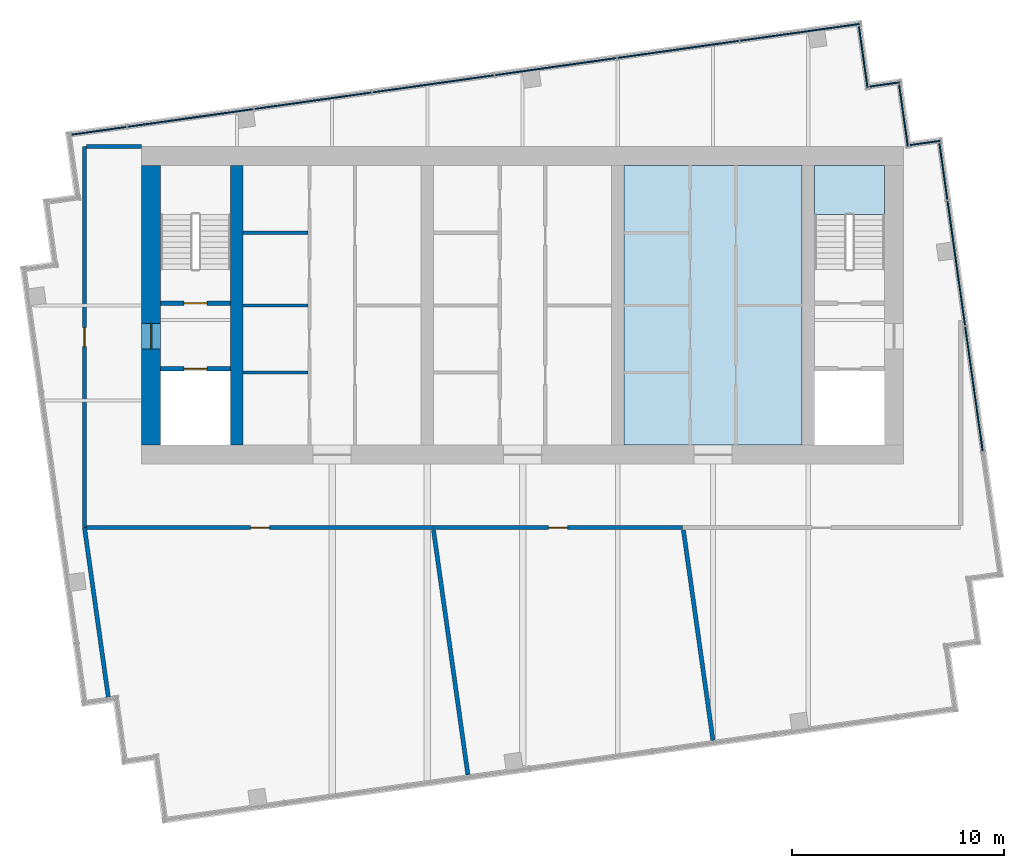
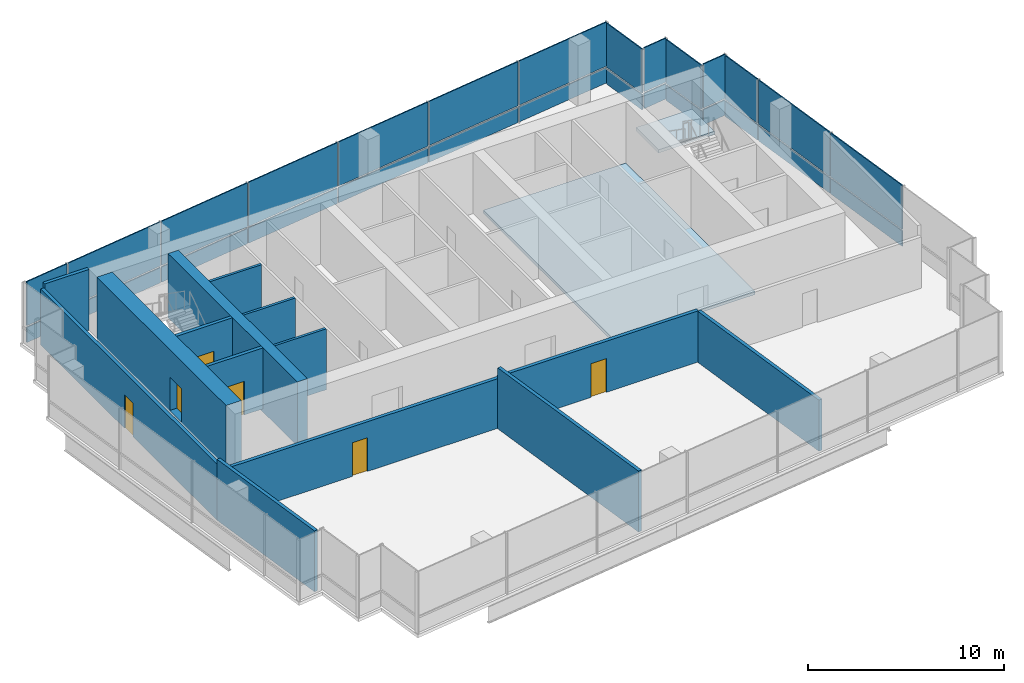
# One storey, part 7 of 10: 28 plates, 14 walls, 6 doors, 2 slabs, 6 openings, 7 elements without a shape of their own.
"""IFC4 building model written with IfcOpenShell, lengths in metres."""

import ifcopenshell
import ifcopenshell.guid

model = None  # the IFC model being written
_history = None  # IfcOwnerHistory: only IFC2X3 demands one
_inside = {}  # id of a spatial element -> (the spatial element, [elements in it])
_under = {}  # id of a project, library or spatial element -> (it, [spatial elements below it])
_declared = {}  # id of a project -> (the project, [libraries it declares])
_typed = {}  # id of a type object -> (the type object, [elements of that type])
_made_of = {}  # id of a material, layer set ... -> (it, [elements and type objects made of it])


def new_model(schema):
    """Start an empty IFC model of exactly this schema.

    Asked for "IFC4X3", IfcOpenShell would pick the latest addendum, in which some entities
    have other attributes; the version numbers below select the first issue.
    IFC2X3 requires an IfcOwnerHistory on every rooted entity: one is made here for all.
    """
    global model, _history
    if schema == "IFC4X3":
        model = ifcopenshell.file(schema_version=(4, 3, 0, 0))
    else:
        model = ifcopenshell.file(schema=schema)
    _inside.clear()
    _under.clear()
    _declared.clear()
    _typed.clear()
    _made_of.clear()
    _history = None
    if model.schema == "IFC2X3":
        org = make("IfcOrganization", Name="unknown")
        user = make(
            "IfcPersonAndOrganization",
            ThePerson=make("IfcPerson", FamilyName="unknown"),
            TheOrganization=org,
        )
        app = make(
            "IfcApplication",
            ApplicationDeveloper=org,
            Version="unknown",
            ApplicationFullName="unknown",
            ApplicationIdentifier="unknown",
        )
        _history = make(
            "IfcOwnerHistory",
            OwningUser=user,
            OwningApplication=app,
            ChangeAction="ADDED",
            CreationDate=0,
        )
    return model


def make(cls, **values):
    """One entity of the class cls with the attributes given. An attribute that is None is left unset."""
    return model.create_entity(
        cls, **{name: value for name, value in values.items() if value is not None}
    )


def rooted(cls, **values):
    """An entity with a GlobalId (a new one), such as an element, a storey or a relation."""
    return make(cls, GlobalId=ifcopenshell.guid.new(), OwnerHistory=_history, **values)


def si_unit(unit_type, name, prefix=None):
    """IfcSIUnit, for example si_unit("LENGTHUNIT", "METRE", prefix="MILLI")."""
    return make("IfcSIUnit", UnitType=unit_type, Prefix=prefix, Name=name)


def assignment(units):
    """IfcUnitAssignment: the units of a project."""
    return None if units is None else make("IfcUnitAssignment", Units=units)


def point(xyz):
    """IfcCartesianPoint."""
    return None if xyz is None else make("IfcCartesianPoint", Coordinates=xyz)


def direction(xyz):
    """IfcDirection."""
    return None if xyz is None else make("IfcDirection", DirectionRatios=xyz)


def frame(location, z_axis=None, x_axis=None):
    """IfcAxis2Placement3D, a coordinate frame: its origin and axes. An axis left out is left unset."""
    return make(
        "IfcAxis2Placement3D",
        Location=point(location),
        Axis=direction(z_axis),
        RefDirection=direction(x_axis),
    )


def frame_2d(location, x_axis=None):
    """IfcAxis2Placement2D, a coordinate frame in the plane: its origin and x axis."""
    return make(
        "IfcAxis2Placement2D", Location=point(location), RefDirection=direction(x_axis)
    )


def origin():
    """The frame at (0, 0, 0) with its axes left unset."""
    return frame((0.0, 0.0, 0.0))


def origin_2d():
    """The frame at (0, 0) in the plane with its x axis left unset."""
    return frame_2d((0.0, 0.0))


def place(relative_to, where):
    """IfcLocalPlacement: puts the frame where relative to a parent placement (None: the world)."""
    return make(
        "IfcLocalPlacement", PlacementRelTo=relative_to, RelativePlacement=where
    )


def context(
    kind, dimensions, precision=None, world=None, true_north=None, identifier=None
):
    """IfcGeometricRepresentationContext, for example the 3D "Model" context."""
    return make(
        "IfcGeometricRepresentationContext",
        ContextIdentifier=identifier,
        ContextType=kind,
        CoordinateSpaceDimension=dimensions,
        Precision=precision,
        WorldCoordinateSystem=world,
        TrueNorth=true_north,
    )


def subcontext(parent, identifier, kind, view, scale=None):
    """IfcGeometricRepresentationSubContext, for example "Body" below "Model"."""
    return make(
        "IfcGeometricRepresentationSubContext",
        ContextIdentifier=identifier,
        ContextType=kind,
        ParentContext=parent,
        TargetScale=scale,
        TargetView=view,
    )


def project(units=None, contexts=None):
    """IfcProject with its units and contexts."""
    return rooted(
        "IfcProject",
        Name="project",
        RepresentationContexts=contexts,
        UnitsInContext=assignment(units),
    )


def spatial(cls, under=None, at=None, **own):
    """A site, building, storey or space (cls), placed at a placement, below another one or the project."""
    s = rooted(cls, ObjectPlacement=at, **own)
    if under is not None:
        _under.setdefault(under.id(), (under, []))[1].append(s)
    return s


def polyline(points):
    """IfcPolyline through the points."""
    return make("IfcPolyline", Points=[point(p) for p in points])


def profile(cls, at=None, kind="AREA", **sizes):
    """A parametric profile (cls). Its sizes go by their IFC names, for example OverallWidth=200.0."""
    return make(cls, ProfileType=kind, Position=at, **sizes)


def rectangle(**sizes):
    """IfcRectangleProfileDef."""
    return profile("IfcRectangleProfileDef", **sizes)


def outline(outer, holes=None, kind="AREA"):
    """IfcArbitraryClosedProfileDef: a profile drawn as a closed curve; with holes, ...WithVoids."""
    if holes is None:
        return make("IfcArbitraryClosedProfileDef", ProfileType=kind, OuterCurve=outer)
    return make(
        "IfcArbitraryProfileDefWithVoids",
        ProfileType=kind,
        OuterCurve=outer,
        InnerCurves=holes,
    )


def extrude(swept, where, along, depth):
    """IfcExtrudedAreaSolid: the profile swept, set in the frame where, extruded along a direction by depth."""
    return make(
        "IfcExtrudedAreaSolid",
        SweptArea=swept,
        Position=where,
        ExtrudedDirection=direction(along),
        Depth=depth,
    )


def shape(context_of_items, identifier, shape_type, items):
    """IfcShapeRepresentation: the items that make up one representation, for example the "Body"."""
    return make(
        "IfcShapeRepresentation",
        ContextOfItems=context_of_items,
        RepresentationIdentifier=identifier,
        RepresentationType=shape_type,
        Items=items,
    )


def material(Name=None, Category=None):
    """IfcMaterial."""
    return make("IfcMaterial", Name=Name, Category=Category)


def layer(
    of_material, thickness, ventilated=None, Name=None, Category=None, Priority=None
):
    """IfcMaterialLayer: one layer of a wall or slab, of a material (None: an air gap)."""
    return make(
        "IfcMaterialLayer",
        Material=of_material,
        LayerThickness=thickness,
        IsVentilated=ventilated,
        Name=Name,
        Category=Category,
        Priority=Priority,
    )


def layer_set(layers, Name=None):
    """IfcMaterialLayerSet."""
    return make("IfcMaterialLayerSet", MaterialLayers=layers, LayerSetName=Name)


def made_of(thing, what):
    """Note that an element or type object is made of a material, layer set ...; save() writes the relation."""
    if what is not None:
        _made_of.setdefault(what.id(), (what, []))[1].append(thing)
    return thing


def type_object(cls, material=None, **own):
    """A type object (cls), such as IfcWallType, which elements share."""
    return made_of(rooted(cls, **own), material)


def element(
    cls,
    number,
    at=None,
    inside=None,
    cuts=None,
    type_object=None,
    material=None,
    context=None,
    identifier="Body",
    shape_type=None,
    held_by="IfcProductDefinitionShape",
    body=None,
    shapes=None,
    **own,
):
    """One element of the class cls, such as IfcWall. Its Tag is "e" and its number.

    at: its placement. inside: the storey or other place that contains it. cuts: it is an
    opening in that element (IfcRelVoidsElement). A single representation is given by context,
    identifier, shape_type and body (its items); several are given by shapes. held_by: the class
    of the entity that holds the representations. save() writes the other relations.
    """
    e = rooted(cls, Tag="e%d" % number, ObjectPlacement=at, **own)
    if body is not None:
        shapes = [shape(context, identifier, shape_type, body)]
    if shapes is not None:
        e.Representation = make(held_by, Representations=shapes)
    if inside is not None:
        _inside.setdefault(inside.id(), (inside, []))[1].append(e)
    if cuts is not None:
        rooted(
            "IfcRelVoidsElement", RelatingBuildingElement=cuts, RelatedOpeningElement=e
        )
    if type_object is not None:
        _typed.setdefault(type_object.id(), (type_object, []))[1].append(e)
    return made_of(e, material)


def fill(opening, filler):
    """IfcRelFillsElement: the door or window that sits in an opening."""
    return rooted(
        "IfcRelFillsElement",
        RelatingOpeningElement=opening,
        RelatedBuildingElement=filler,
    )


def aggregate(whole, parts):
    """IfcRelAggregates: a whole, such as a stair, and the parts it consists of."""
    return rooted("IfcRelAggregates", RelatingObject=whole, RelatedObjects=parts)


def save(model, path):
    """Write the relations noted so far, then the file.

    IfcRelAggregates (storeys below a building ...), IfcRelContainedInSpatialStructure (elements
    in a storey), IfcRelDefinesByType, IfcRelAssociatesMaterial and IfcRelDeclares: one each for
    every whole, place, type object, material and project.
    """
    for whole, parts in _under.values():
        aggregate(whole, parts)
    for where, things in _inside.values():
        rooted(
            "IfcRelContainedInSpatialStructure",
            RelatedElements=things,
            RelatingStructure=where,
        )
    for kind, things in _typed.values():
        rooted("IfcRelDefinesByType", RelatedObjects=things, RelatingType=kind)
    for what, things in _made_of.values():
        rooted("IfcRelAssociatesMaterial", RelatedObjects=things, RelatingMaterial=what)
    for by, libraries in _declared.values():
        rooted("IfcRelDeclares", RelatingContext=by, RelatedDefinitions=libraries)
    model.write(path)


model = new_model("IFC4")

# Units and contexts
model_context = context("Model", 3, precision=1e-05, world=origin(), true_north=direction((0.0, 1.0)))
body_context = subcontext(model_context, "Body", "Model", "MODEL_VIEW")
ifc_project = project(units=[si_unit("LENGTHUNIT", "METRE"), si_unit("AREAUNIT", "SQUARE_METRE"), si_unit("VOLUMEUNIT", "CUBIC_METRE"), si_unit("PLANEANGLEUNIT", "RADIAN"), si_unit("MASSUNIT", "GRAM", prefix="KILO")], contexts=[model_context])

# Site, building, storey
site_placement = place(None, origin())
site = spatial("IfcSite", under=ifc_project, at=site_placement, CompositionType="ELEMENT")
building_placement = place(site_placement, origin())
building = spatial("IfcBuilding", under=site, at=building_placement, Name="Rattan Terrace Tower", CompositionType="ELEMENT")
storey_placement = place(building_placement, frame((0.0, 0.0, 308.300048828125)))
storey = spatial("IfcBuildingStorey", under=building, at=storey_placement, Name="C05", CompositionType="ELEMENT", Elevation=308.300048828125)

# Stair, slab
ifc_material_1 = material(Name="Concrete C40/50", Category="concrete")
stair_type = type_object("IfcStairType", Name="Core exit stair 1500", PredefinedType="HALF_TURN_STAIR", material=ifc_material_1)
stair_placement = place(storey_placement, origin())
stair = element("IfcStair", 1, at=stair_placement, inside=storey, type_object=stair_type, Name="C05 exit stair 2", PredefinedType="HALF_TURN_STAIR")
ifc_material_2 = material(Name="Concrete C40/50", Category="concrete")
ifc_layer_1 = layer(ifc_material_2, 0.199951171875)
ifc_layer_set_1 = layer_set([ifc_layer_1], Name="Core exit stair landing")
slab_type_1 = type_object("IfcSlabType", Name="Core exit stair landing", PredefinedType="LANDING", material=ifc_layer_set_1)
slab_1_placement = place(storey_placement, frame((0.0, 0.0, 1.800048828125)))
slab_1 = element("IfcSlab", 2, at=slab_1_placement, type_object=slab_type_1, Name="S2 landing 1", PredefinedType="LANDING", context=body_context, shape_type="SweptSolid", body=[
    extrude(outline(polyline([(17.10009765625, 4.300048828125), (17.10009765625, 6.60009765625), (13.800048828125, 6.60009765625), (13.800048828125, 4.300048828125), (17.10009765625, 4.300048828125)])), origin(), (0.0, 0.0, 1.0), 0.199951171875),
])
aggregate(stair, [slab_1])

# Slab
ifc_material_3 = material(Name="Concrete C35/45", Category="concrete")
ifc_layer_2 = layer(ifc_material_3, 0.199951171875)
ifc_layer_set_2 = layer_set([ifc_layer_2], Name="Frame composite floor slab 200")
slab_type_2 = type_object("IfcSlabType", Name="Frame composite floor slab 200", PredefinedType="FLOOR", material=ifc_layer_set_2)
slab_2_placement = place(storey_placement, frame((0.0, 0.0, -0.199951171875)))
element("IfcSlab", 3, at=slab_2_placement, inside=storey, type_object=slab_type_2, Name="Floor slab", PredefinedType="FLOOR", context=body_context, shape_type="SweptSolid", body=[
    extrude(outline(polyline([(4.800048828125, -6.60009765625), (13.199951171875, -6.60009765625), (13.199951171875, 6.60009765625), (4.800048828125, 6.60009765625), (4.800048828125, -6.60009765625)])), origin(), (0.0, 0.0, 1.0), 0.199951171875),
])

# Curtain wall, plates
ifc_material_4 = material(Name="Aluminium and laminated glass", Category="aluminium")
ifc_layer_3 = layer(ifc_material_4, 0.239990234375)
ifc_layer_set_3 = layer_set([ifc_layer_3], Name="Lantern Stick Curtain Wall")
curtain_wall_type = type_object("IfcCurtainWallType", Name="Lantern Stick Curtain Wall", PredefinedType="NOTDEFINED", material=ifc_layer_set_3)
curtain_wall_1_placement = place(storey_placement, origin())
curtain_wall_1 = element("IfcCurtainWall", 4, at=curtain_wall_1_placement, inside=storey, type_object=curtain_wall_type, Name="Lantern curtain wall C05-11", PredefinedType="NOTDEFINED")
ifc_material_5 = material(Name="Laminated low-iron glass", Category="glass")
ifc_layer_4 = layer(ifc_material_5, 0.06591796875)
ifc_layer_set_4 = layer_set([ifc_layer_4], Name="Lantern CW Laminated Panel")
plate_type = type_object("IfcPlateType", Name="Lantern CW Laminated Panel", PredefinedType="CURTAIN_PANEL", material=ifc_layer_set_4)
plate_1_placement = place(storey_placement, frame((21.325927734375, -3.9482421875, 0.0), z_axis=(0.0, 0.0, 1.0), x_axis=(-0.139187707455, 0.990266015823, 0.0)))
plate_1 = element("IfcPlate", 5, at=plate_1_placement, type_object=plate_type, Name="Panel cwl-C05-011.2.1", PredefinedType="CURTAIN_PANEL", context=body_context, shape_type="SweptSolid", body=[
    extrude(rectangle(XDim=5.929931640625, YDim=0.06591796875, at=origin_2d()), origin(), (0.0, 0.0, 1.0), 0.949951171875),
])
plate_2_placement = place(storey_placement, frame((21.325927734375, -3.9482421875, 1.050048828125), z_axis=(0.0, 0.0, 1.0), x_axis=(-0.139187707455, 0.990266015823, 0.0)))
plate_2 = element("IfcPlate", 6, at=plate_2_placement, type_object=plate_type, Name="Panel cwl-C05-011.2.2", PredefinedType="CURTAIN_PANEL", context=body_context, shape_type="SweptSolid", body=[
    extrude(rectangle(XDim=5.929931640625, YDim=0.06591796875, at=origin_2d()), origin(), (0.0, 0.0, 1.0), 2.75),
])
plate_3_placement = place(storey_placement, frame((20.49072265625, 1.993408203125, 0.0), z_axis=(0.0, 0.0, 1.0), x_axis=(-0.139187707455, 0.990266015823, 0.0)))
plate_3 = element("IfcPlate", 7, at=plate_3_placement, type_object=plate_type, Name="Panel cwl-C05-011.3.1", PredefinedType="CURTAIN_PANEL", context=body_context, shape_type="SweptSolid", body=[
    extrude(rectangle(XDim=5.929931640625, YDim=0.06591796875, at=origin_2d()), origin(), (0.0, 0.0, 1.0), 0.949951171875),
])
plate_4_placement = place(storey_placement, frame((20.49072265625, 1.993408203125, 1.050048828125), z_axis=(0.0, 0.0, 1.0), x_axis=(-0.139187707455, 0.990266015823, 0.0)))
plate_4 = element("IfcPlate", 8, at=plate_4_placement, type_object=plate_type, Name="Panel cwl-C05-011.3.2", PredefinedType="CURTAIN_PANEL", context=body_context, shape_type="SweptSolid", body=[
    extrude(rectangle(XDim=5.929931640625, YDim=0.06591796875, at=origin_2d()), origin(), (0.0, 0.0, 1.0), 2.75),
])
plate_5_placement = place(storey_placement, frame((19.88232421875, 6.323486328125, 0.0), z_axis=(0.0, 0.0, 1.0), x_axis=(-0.139187707455, 0.990266015823, 0.0)))
plate_5 = element("IfcPlate", 9, at=plate_5_placement, type_object=plate_type, Name="Panel cwl-C05-011.4.1", PredefinedType="CURTAIN_PANEL", context=body_context, shape_type="SweptSolid", body=[
    extrude(rectangle(XDim=2.67529296875, YDim=0.06591796875, at=origin_2d()), origin(), (0.0, 0.0, 1.0), 0.949951171875),
])
plate_6_placement = place(storey_placement, frame((19.88232421875, 6.323486328125, 1.050048828125), z_axis=(0.0, 0.0, 1.0), x_axis=(-0.139187707455, 0.990266015823, 0.0)))
plate_6 = element("IfcPlate", 10, at=plate_6_placement, type_object=plate_type, Name="Panel cwl-C05-011.4.2", PredefinedType="CURTAIN_PANEL", context=body_context, shape_type="SweptSolid", body=[
    extrude(rectangle(XDim=2.67529296875, YDim=0.06591796875, at=origin_2d()), origin(), (0.0, 0.0, 1.0), 2.75),
])
aggregate(curtain_wall_1, [plate_1, plate_2, plate_3, plate_4, plate_5, plate_6])

curtain_wall_2_placement = place(storey_placement, origin())
curtain_wall_2 = element("IfcCurtainWall", 11, at=curtain_wall_2_placement, inside=storey, type_object=curtain_wall_type, Name="Lantern curtain wall C05-12", PredefinedType="NOTDEFINED")
plate_7_placement = place(storey_placement, frame((19.021484375, 7.67431640625, 0.0), z_axis=(0.0, 0.0, 1.0), x_axis=(-0.990227803001, -0.139459306479, 0.0)))
plate_7 = element("IfcPlate", 12, at=plate_7_placement, type_object=plate_type, Name="Panel cwl-C05-012.1.1", PredefinedType="CURTAIN_PANEL", context=body_context, shape_type="SweptSolid", body=[
    extrude(rectangle(XDim=1.428466796875, YDim=0.06591796875, at=origin_2d()), origin(), (0.0, 0.0, 1.0), 0.949951171875),
])
plate_8_placement = place(storey_placement, frame((19.021484375, 7.67431640625, 1.050048828125), z_axis=(0.0, 0.0, 1.0), x_axis=(-0.990227803001, -0.139459306479, 0.0)))
plate_8 = element("IfcPlate", 13, at=plate_8_placement, type_object=plate_type, Name="Panel cwl-C05-012.1.2", PredefinedType="CURTAIN_PANEL", context=body_context, shape_type="SweptSolid", body=[
    extrude(rectangle(XDim=1.428466796875, YDim=0.06591796875, at=origin_2d()), origin(), (0.0, 0.0, 1.0), 2.75),
])
aggregate(curtain_wall_2, [plate_7, plate_8])

curtain_wall_3_placement = place(storey_placement, origin())
curtain_wall_3 = element("IfcCurtainWall", 14, at=curtain_wall_3_placement, inside=storey, type_object=curtain_wall_type, Name="Lantern curtain wall C05-13", PredefinedType="NOTDEFINED")
plate_9_placement = place(storey_placement, frame((17.997802734375, 8.96044921875, 0.0), z_axis=(0.0, 0.0, 1.0), x_axis=(-0.139555918709, 0.990214191755, 0.0)))
plate_9 = element("IfcPlate", 15, at=plate_9_placement, type_object=plate_type, Name="Panel cwl-C05-013.1.1", PredefinedType="CURTAIN_PANEL", context=body_context, shape_type="SweptSolid", body=[
    extrude(rectangle(XDim=2.932373046875, YDim=0.06591796875, at=origin_2d()), origin(), (0.0, 0.0, 1.0), 0.949951171875),
])
plate_10_placement = place(storey_placement, frame((17.997802734375, 8.96044921875, 1.050048828125), z_axis=(0.0, 0.0, 1.0), x_axis=(-0.139555918709, 0.990214191755, 0.0)))
plate_10 = element("IfcPlate", 16, at=plate_10_placement, type_object=plate_type, Name="Panel cwl-C05-013.1.2", PredefinedType="CURTAIN_PANEL", context=body_context, shape_type="SweptSolid", body=[
    extrude(rectangle(XDim=2.932373046875, YDim=0.06591796875, at=origin_2d()), origin(), (0.0, 0.0, 1.0), 2.75),
])
aggregate(curtain_wall_3, [plate_9, plate_10])

curtain_wall_4_placement = place(storey_placement, origin())
curtain_wall_4 = element("IfcCurtainWall", 17, at=curtain_wall_4_placement, inside=storey, type_object=curtain_wall_type, Name="Lantern curtain wall C05-14", PredefinedType="NOTDEFINED")
plate_11_placement = place(storey_placement, frame((17.11865234375, 10.43896484375, 0.0), z_axis=(0.0, 0.0, 1.0), x_axis=(-0.990319742912, -0.13880492354, 0.0)))
plate_11 = element("IfcPlate", 18, at=plate_11_placement, type_object=plate_type, Name="Panel cwl-C05-014.1.1", PredefinedType="CURTAIN_PANEL", context=body_context, shape_type="SweptSolid", body=[
    extrude(rectangle(XDim=1.428466796875, YDim=0.06591796875, at=origin_2d()), origin(), (0.0, 0.0, 1.0), 0.949951171875),
])
plate_12_placement = place(storey_placement, frame((17.11865234375, 10.43896484375, 1.050048828125), z_axis=(0.0, 0.0, 1.0), x_axis=(-0.990319742912, -0.13880492354, 0.0)))
plate_12 = element("IfcPlate", 19, at=plate_12_placement, type_object=plate_type, Name="Panel cwl-C05-014.1.2", PredefinedType="CURTAIN_PANEL", context=body_context, shape_type="SweptSolid", body=[
    extrude(rectangle(XDim=1.428466796875, YDim=0.06591796875, at=origin_2d()), origin(), (0.0, 0.0, 1.0), 2.75),
])
aggregate(curtain_wall_4, [plate_11, plate_12])

curtain_wall_5_placement = place(storey_placement, origin())
curtain_wall_5 = element("IfcCurtainWall", 20, at=curtain_wall_5_placement, inside=storey, type_object=curtain_wall_type, Name="Lantern curtain wall C05-15", PredefinedType="NOTDEFINED")
plate_13_placement = place(storey_placement, frame((16.09521484375, 11.723388671875, 0.0), z_axis=(0.0, 0.0, 1.0), x_axis=(-0.139413247769, 0.990234288614, 0.0)))
plate_13 = element("IfcPlate", 21, at=plate_13_placement, type_object=plate_type, Name="Panel cwl-C05-015.1.1", PredefinedType="CURTAIN_PANEL", context=body_context, shape_type="SweptSolid", body=[
    extrude(rectangle(XDim=2.92822265625, YDim=0.06591796875, at=origin_2d()), origin(), (0.0, 0.0, 1.0), 0.949951171875),
])
plate_14_placement = place(storey_placement, frame((16.09521484375, 11.723388671875, 1.050048828125), z_axis=(0.0, 0.0, 1.0), x_axis=(-0.139413247769, 0.990234288614, 0.0)))
plate_14 = element("IfcPlate", 22, at=plate_14_placement, type_object=plate_type, Name="Panel cwl-C05-015.1.2", PredefinedType="CURTAIN_PANEL", context=body_context, shape_type="SweptSolid", body=[
    extrude(rectangle(XDim=2.92822265625, YDim=0.06591796875, at=origin_2d()), origin(), (0.0, 0.0, 1.0), 2.75),
])
aggregate(curtain_wall_5, [plate_13, plate_14])

curtain_wall_6_placement = place(storey_placement, origin())
curtain_wall_6 = element("IfcCurtainWall", 23, at=curtain_wall_6_placement, inside=storey, type_object=curtain_wall_type, Name="Lantern curtain wall C05-16", PredefinedType="NOTDEFINED")
plate_15_placement = place(storey_placement, frame((13.10595703125, 12.90283203125, 0.0), z_axis=(0.0, 0.0, 1.0), x_axis=(-0.990266952226, -0.13918104515, 0.0)))
plate_15 = element("IfcPlate", 24, at=plate_15_placement, type_object=plate_type, Name="Panel cwl-C05-016.1.1", PredefinedType="CURTAIN_PANEL", context=body_context, shape_type="SweptSolid", body=[
    extrude(rectangle(XDim=5.69091796875, YDim=0.06591796875, at=origin_2d()), origin(), (0.0, 0.0, 1.0), 0.949951171875),
])
plate_16_placement = place(storey_placement, frame((13.10595703125, 12.90283203125, 1.050048828125), z_axis=(0.0, 0.0, 1.0), x_axis=(-0.990266952226, -0.13918104515, 0.0)))
plate_16 = element("IfcPlate", 25, at=plate_16_placement, type_object=plate_type, Name="Panel cwl-C05-016.1.2", PredefinedType="CURTAIN_PANEL", context=body_context, shape_type="SweptSolid", body=[
    extrude(rectangle(XDim=5.69091796875, YDim=0.06591796875, at=origin_2d()), origin(), (0.0, 0.0, 1.0), 2.75),
])
plate_17_placement = place(storey_placement, frame((7.359130859375, 12.09521484375, 0.0), z_axis=(0.0, 0.0, 1.0), x_axis=(-0.990266952226, -0.13918104515, 0.0)))
plate_17 = element("IfcPlate", 26, at=plate_17_placement, type_object=plate_type, Name="Panel cwl-C05-016.2.1", PredefinedType="CURTAIN_PANEL", context=body_context, shape_type="SweptSolid", body=[
    extrude(rectangle(XDim=5.77587890625, YDim=0.06591796875, at=origin_2d()), origin(), (0.0, 0.0, 1.0), 0.949951171875),
])
plate_18_placement = place(storey_placement, frame((7.359130859375, 12.09521484375, 1.050048828125), z_axis=(0.0, 0.0, 1.0), x_axis=(-0.990266952226, -0.13918104515, 0.0)))
plate_18 = element("IfcPlate", 27, at=plate_18_placement, type_object=plate_type, Name="Panel cwl-C05-016.2.2", PredefinedType="CURTAIN_PANEL", context=body_context, shape_type="SweptSolid", body=[
    extrude(rectangle(XDim=5.77587890625, YDim=0.06591796875, at=origin_2d()), origin(), (0.0, 0.0, 1.0), 2.75),
])
plate_19_placement = place(storey_placement, frame((1.570068359375, 11.281494140625, 0.0), z_axis=(0.0, 0.0, 1.0), x_axis=(-0.990266952226, -0.13918104515, 0.0)))
plate_19 = element("IfcPlate", 28, at=plate_19_placement, type_object=plate_type, Name="Panel cwl-C05-016.3.1", PredefinedType="CURTAIN_PANEL", context=body_context, shape_type="SweptSolid", body=[
    extrude(rectangle(XDim=5.77587890625, YDim=0.06591796875, at=origin_2d()), origin(), (0.0, 0.0, 1.0), 0.949951171875),
])
plate_20_placement = place(storey_placement, frame((1.570068359375, 11.281494140625, 1.050048828125), z_axis=(0.0, 0.0, 1.0), x_axis=(-0.990266952226, -0.13918104515, 0.0)))
plate_20 = element("IfcPlate", 29, at=plate_20_placement, type_object=plate_type, Name="Panel cwl-C05-016.3.2", PredefinedType="CURTAIN_PANEL", context=body_context, shape_type="SweptSolid", body=[
    extrude(rectangle(XDim=5.77587890625, YDim=0.06591796875, at=origin_2d()), origin(), (0.0, 0.0, 1.0), 2.75),
])
plate_21_placement = place(storey_placement, frame((-4.21923828125, 10.4677734375, 0.0), z_axis=(0.0, 0.0, 1.0), x_axis=(-0.990266952226, -0.13918104515, 0.0)))
plate_21 = element("IfcPlate", 30, at=plate_21_placement, type_object=plate_type, Name="Panel cwl-C05-016.4.1", PredefinedType="CURTAIN_PANEL", context=body_context, shape_type="SweptSolid", body=[
    extrude(rectangle(XDim=5.77587890625, YDim=0.06591796875, at=origin_2d()), origin(), (0.0, 0.0, 1.0), 0.949951171875),
])
plate_22_placement = place(storey_placement, frame((-4.21923828125, 10.4677734375, 1.050048828125), z_axis=(0.0, 0.0, 1.0), x_axis=(-0.990266952226, -0.13918104515, 0.0)))
plate_22 = element("IfcPlate", 31, at=plate_22_placement, type_object=plate_type, Name="Panel cwl-C05-016.4.2", PredefinedType="CURTAIN_PANEL", context=body_context, shape_type="SweptSolid", body=[
    extrude(rectangle(XDim=5.77587890625, YDim=0.06591796875, at=origin_2d()), origin(), (0.0, 0.0, 1.0), 2.75),
])
plate_23_placement = place(storey_placement, frame((-9.900634765625, 9.66943359375, 0.0), z_axis=(0.0, 0.0, 1.0), x_axis=(-0.990266952226, -0.13918104515, 0.0)))
plate_23 = element("IfcPlate", 32, at=plate_23_placement, type_object=plate_type, Name="Panel cwl-C05-016.5.1", PredefinedType="CURTAIN_PANEL", context=body_context, shape_type="SweptSolid", body=[
    extrude(rectangle(XDim=5.55859375, YDim=0.06591796875, at=origin_2d()), origin(), (0.0, 0.0, 1.0), 0.949951171875),
])
plate_24_placement = place(storey_placement, frame((-9.900634765625, 9.66943359375, 1.050048828125), z_axis=(0.0, 0.0, 1.0), x_axis=(-0.990266952226, -0.13918104515, 0.0)))
plate_24 = element("IfcPlate", 33, at=plate_24_placement, type_object=plate_type, Name="Panel cwl-C05-016.5.2", PredefinedType="CURTAIN_PANEL", context=body_context, shape_type="SweptSolid", body=[
    extrude(rectangle(XDim=5.55859375, YDim=0.06591796875, at=origin_2d()), origin(), (0.0, 0.0, 1.0), 2.75),
])
plate_25_placement = place(storey_placement, frame((-15.689697265625, 8.855712890625, 0.0), z_axis=(0.0, 0.0, 1.0), x_axis=(-0.990266952226, -0.13918104515, 0.0)))
plate_25 = element("IfcPlate", 34, at=plate_25_placement, type_object=plate_type, Name="Panel cwl-C05-016.6.1", PredefinedType="CURTAIN_PANEL", context=body_context, shape_type="SweptSolid", body=[
    extrude(rectangle(XDim=5.993408203125, YDim=0.06591796875, at=origin_2d()), origin(), (0.0, 0.0, 1.0), 0.949951171875),
])
plate_26_placement = place(storey_placement, frame((-15.689697265625, 8.855712890625, 1.050048828125), z_axis=(0.0, 0.0, 1.0), x_axis=(-0.990266952226, -0.13918104515, 0.0)))
plate_26 = element("IfcPlate", 35, at=plate_26_placement, type_object=plate_type, Name="Panel cwl-C05-016.6.2", PredefinedType="CURTAIN_PANEL", context=body_context, shape_type="SweptSolid", body=[
    extrude(rectangle(XDim=5.993408203125, YDim=0.06591796875, at=origin_2d()), origin(), (0.0, 0.0, 1.0), 2.75),
])
plate_27_placement = place(storey_placement, frame((-20.013916015625, 8.248046875, 0.0), z_axis=(0.0, 0.0, 1.0), x_axis=(-0.990266952226, -0.13918104515, 0.0)))
plate_27 = element("IfcPlate", 36, at=plate_27_placement, type_object=plate_type, Name="Panel cwl-C05-016.7.1", PredefinedType="CURTAIN_PANEL", context=body_context, shape_type="SweptSolid", body=[
    extrude(rectangle(XDim=2.599853515625, YDim=0.06591796875, at=origin_2d()), origin(), (0.0, 0.0, 1.0), 0.949951171875),
])
plate_28_placement = place(storey_placement, frame((-20.013916015625, 8.248046875, 1.050048828125), z_axis=(0.0, 0.0, 1.0), x_axis=(-0.990266952226, -0.13918104515, 0.0)))
plate_28 = element("IfcPlate", 37, at=plate_28_placement, type_object=plate_type, Name="Panel cwl-C05-016.7.2", PredefinedType="CURTAIN_PANEL", context=body_context, shape_type="SweptSolid", body=[
    extrude(rectangle(XDim=2.599853515625, YDim=0.06591796875, at=origin_2d()), origin(), (0.0, 0.0, 1.0), 2.75),
])
aggregate(curtain_wall_6, [plate_15, plate_16, plate_17, plate_18, plate_19, plate_20, plate_21, plate_22, plate_23, plate_24, plate_25, plate_26, plate_27, plate_28])

# Walls
ifc_material_6 = material(Name="Gypsum board partition")
ifc_layer_5 = layer(ifc_material_6, 0.14990234375)
ifc_layer_set_5 = layer_set([ifc_layer_5], Name="Core partition 150")
wall_type_1 = type_object("IfcWallType", Name="Core partition 150", PredefinedType="PARTITIONING", material=ifc_layer_set_5)
for number, where, z_axis, x_axis, name in (
    (38, (-13.199951171875, -3.16796875, 0.0), (0.0, 0.0, 1.0), (1.0, 0.0, 0.0), "Core room wall"),
    (39, (-13.199951171875, 0.0, 0.0), (0.0, 0.0, 1.0), (1.0, 0.0, 0.0), "Core room wall"),
    (40, (-13.199951171875, 3.431884765625, 0.0), (0.0, 0.0, 1.0), (1.0, 0.0, 0.0), "Core room wall"),
):
    element("IfcWall", number, at=place(storey_placement, frame(where, z_axis=z_axis, x_axis=x_axis)), inside=storey, type_object=wall_type_1, Name=name, PredefinedType="PARTITIONING", context=body_context, shape_type="SweptSolid", body=[
        extrude(rectangle(XDim=3.050048828125, YDim=0.14990234375, at=frame_2d((1.52490234375, 0.0))), origin(), (0.0, 0.0, 1.0), 3.800048828125),
    ])

# Wall, opening, door
ifc_material_7 = material(Name="Gypsum board partition")
ifc_layer_6 = layer(ifc_material_7, 0.199951171875)
ifc_layer_set_6 = layer_set([ifc_layer_6], Name="Core partition 200")
wall_type_2 = type_object("IfcWallType", Name="Core partition 200", PredefinedType="PARTITIONING", material=ifc_layer_set_6)
wall_1_placement = place(storey_placement, frame((-17.10009765625, -3.0, 0.0), z_axis=(0.0, 0.0, 1.0), x_axis=(1.0, 0.0, 0.0)))
wall_1 = element("IfcWall", 41, at=wall_1_placement, inside=storey, type_object=wall_type_2, Name="Fire-fighting lobby wall", PredefinedType="PARTITIONING", context=body_context, shape_type="SweptSolid", body=[
    extrude(rectangle(XDim=3.300048828125, YDim=0.199951171875, at=frame_2d((1.64990234375, 0.0))), origin(), (0.0, 0.0, 1.0), 3.800048828125),
])
opening_1_placement = place(wall_1_placement, frame((1.10009765625, 0.0, 0.0)))
opening_1 = element("IfcOpeningElement", 42, at=opening_1_placement, cuts=wall_1, Name="Opening C05-LD-FF1", PredefinedType="OPENING", context=body_context, shape_type="SweptSolid", body=[
    extrude(rectangle(XDim=1.10009765625, YDim=2.10009765625, at=frame_2d((0.550048828125, 1.050048828125))), frame((0.0, 0.110595703125, 0.0), z_axis=(0.0, -1.0, 0.0), x_axis=(1.0, 0.0, 0.0)), (0.0, 0.0, 1.0), 0.220947265625),
])
ifc_material_8 = material(Name="Brushed stainless landing door panel")
door_type_1 = type_object("IfcDoorType", Name="Core lift landing door 1100", OperationType="DOUBLE_DOOR_SLIDING", PredefinedType="DOOR", material=ifc_material_8)
door_1_placement = place(opening_1_placement, origin())
door_1 = element("IfcDoor", 43, at=door_1_placement, inside=storey, type_object=door_type_1, Name="Door C05-LD-FF1", OperationType="DOUBLE_DOOR_SLIDING", OverallHeight=2.10009765625, OverallWidth=1.10009765625, PredefinedType="DOOR", context=body_context, shape_type="SweptSolid", body=[
    extrude(rectangle(XDim=1.10009765625, YDim=2.10009765625, at=frame_2d((0.550048828125, 1.050048828125))), frame((0.0, 0.02490234375, 0.0), z_axis=(0.0, -1.0, 0.0), x_axis=(1.0, 0.0, 0.0)), (0.0, 0.0, 1.0), 0.050048828125),
])
fill(opening_1, door_1)

wall_2_placement = place(storey_placement, frame((-17.10009765625, 0.10009765625, 0.0), z_axis=(0.0, 0.0, 1.0), x_axis=(1.0, 0.0, 0.0)))
wall_2 = element("IfcWall", 44, at=wall_2_placement, inside=storey, type_object=wall_type_2, Name="Stair enclosure wall", PredefinedType="PARTITIONING", context=body_context, shape_type="SweptSolid", body=[
    extrude(rectangle(XDim=3.300048828125, YDim=0.199951171875, at=frame_2d((1.64990234375, 0.0))), origin(), (0.0, 0.0, 1.0), 3.800048828125),
])
opening_2_placement = place(wall_2_placement, frame((1.10009765625, 0.0, 0.0)))
opening_2 = element("IfcOpeningElement", 45, at=opening_2_placement, cuts=wall_2, Name="Opening C05-D002", PredefinedType="OPENING", context=body_context, shape_type="SweptSolid", body=[
    extrude(rectangle(XDim=1.10009765625, YDim=2.10009765625, at=frame_2d((0.550048828125, 1.050048828125))), frame((0.0, 0.110595703125, 0.0), z_axis=(0.0, -1.0, 0.0), x_axis=(1.0, 0.0, 0.0)), (0.0, 0.0, 1.0), 0.220947265625),
])
ifc_material_9 = material(Name="Hollow-metal fire door leaf")
door_type_2 = type_object("IfcDoorType", Name="Core stair door 1100", OperationType="NOTDEFINED", PredefinedType="DOOR", material=ifc_material_9)
door_2_placement = place(opening_2_placement, origin())
door_2 = element("IfcDoor", 46, at=door_2_placement, inside=storey, type_object=door_type_2, Name="Door C05-D002", OperationType="SINGLE_SWING_LEFT", OverallHeight=2.10009765625, OverallWidth=1.10009765625, PredefinedType="DOOR", context=body_context, shape_type="SweptSolid", body=[
    extrude(rectangle(XDim=1.10009765625, YDim=2.10009765625, at=frame_2d((0.550048828125, 1.050048828125))), frame((0.0, 0.02490234375, 0.0), z_axis=(0.0, -1.0, 0.0), x_axis=(1.0, 0.0, 0.0)), (0.0, 0.0, 1.0), 0.050048828125),
])
fill(opening_2, door_2)

ifc_material_10 = material(Name="Concrete C50/60", Category="concrete")
ifc_layer_7 = layer(ifc_material_10, 0.89990234375)
ifc_layer_set_7 = layer_set([ifc_layer_7], Name="Core ring wall 900 C50/60")
wall_type_3 = type_object("IfcWallType", Name="Core ring wall 900 C50/60", PredefinedType="SHEAR", material=ifc_layer_set_7)
wall_3_placement = place(storey_placement, frame((-17.550048828125, -6.60009765625, -0.199951171875), z_axis=(0.0, 0.0, 1.0), x_axis=(0.0, 1.0, 0.0)))
wall_3 = element("IfcWall", 47, at=wall_3_placement, inside=storey, type_object=wall_type_3, Name="Rear core wall west", PredefinedType="SHEAR", context=body_context, shape_type="SweptSolid", body=[
    extrude(rectangle(XDim=13.2001953125, YDim=0.89990234375, at=frame_2d((6.60009765625, 0.0))), origin(), (0.0, 0.0, 1.0), 4.0),
])
opening_3_placement = place(wall_3_placement, frame((4.550048828125, 0.0, 0.199951171875)))
opening_3 = element("IfcOpeningElement", 48, at=opening_3_placement, cuts=wall_3, Name="Opening C05-D001", PredefinedType="OPENING", context=body_context, shape_type="SweptSolid", body=[
    extrude(rectangle(XDim=1.199951171875, YDim=2.10009765625, at=frame_2d((0.60009765625, 1.050048828125))), frame((0.0, 0.46044921875, 0.0), z_axis=(0.0, -1.0, 0.0), x_axis=(1.0, 0.0, 0.0)), (0.0, 0.0, 1.0), 0.9208984375),
])
ifc_material_11 = material(Name="Hollow-metal fire door leaf")
door_type_3 = type_object("IfcDoorType", Name="Core fire-fighting lobby door 1200", OperationType="NOTDEFINED", PredefinedType="DOOR", material=ifc_material_11)
door_3_placement = place(opening_3_placement, origin())
door_3 = element("IfcDoor", 49, at=door_3_placement, inside=storey, type_object=door_type_3, Name="Door C05-D001", OperationType="SINGLE_SWING_RIGHT", OverallHeight=2.10009765625, OverallWidth=1.199951171875, PredefinedType="DOOR", context=body_context, shape_type="SweptSolid", body=[
    extrude(rectangle(XDim=1.199951171875, YDim=2.10009765625, at=frame_2d((0.60009765625, 1.050048828125))), frame((0.0, 0.02490234375, 0.0), z_axis=(0.0, -1.0, 0.0), x_axis=(1.0, 0.0, 0.0)), (0.0, 0.0, 1.0), 0.050048828125),
])
fill(opening_3, door_3)

# Wall
ifc_material_12 = material(Name="Concrete C50/60", Category="concrete")
ifc_layer_8 = layer(ifc_material_12, 0.60009765625)
ifc_layer_set_8 = layer_set([ifc_layer_8], Name="Core spine wall 600 C50/60")
wall_type_4 = type_object("IfcWallType", Name="Core spine wall 600 C50/60", PredefinedType="SHEAR", material=ifc_layer_set_8)
wall_4_placement = place(storey_placement, frame((-13.5, -6.60009765625, -0.199951171875), z_axis=(0.0, 0.0, 1.0), x_axis=(0.0, 1.0, 0.0)))
element("IfcWall", 50, at=wall_4_placement, inside=storey, type_object=wall_type_4, Name="Core spine wall 1", PredefinedType="SHEAR", context=body_context, shape_type="SweptSolid", body=[
    extrude(rectangle(XDim=13.2001953125, YDim=0.60009765625, at=frame_2d((6.60009765625, 0.0))), origin(), (0.0, 0.0, 1.0), 4.0),
])

# Wall, opening, door
ifc_material_13 = material(Name="Concrete block wall, plastered", Category="concrete")
ifc_layer_9 = layer(ifc_material_13, 0.199951171875)
ifc_layer_set_9 = layer_set([ifc_layer_9], Name="Floors Plant Wall 200")
wall_type_5 = type_object("IfcWallType", Name="Floors Plant Wall 200", PredefinedType="PARTITIONING", material=ifc_layer_set_9)
wall_5_placement = place(storey_placement, frame((-4.205078125, -10.5, 0.0), z_axis=(0.0, 0.0, 1.0), x_axis=(-1.0, 0.0, 0.0)))
wall_5 = element("IfcWall", 51, at=wall_5_placement, inside=storey, type_object=wall_type_5, Name="pt-C05-001", PredefinedType="PARTITIONING", context=body_context, shape_type="SweptSolid", body=[
    extrude(rectangle(XDim=16.39501953125, YDim=0.199951171875, at=frame_2d((8.197509765625, 0.0))), origin(), (0.0, 0.0, 1.0), 3.099853515625),
])
opening_4_placement = place(wall_5_placement, frame((7.748046875, 0.0, 0.0)))
opening_4 = element("IfcOpeningElement", 52, at=opening_4_placement, cuts=wall_5, Name="Opening C05-D100", PredefinedType="OPENING", context=body_context, shape_type="SweptSolid", body=[
    extrude(rectangle(XDim=0.89990234375, YDim=2.10009765625, at=frame_2d((0.449951171875, 1.050048828125))), frame((0.0, 0.110595703125, 0.0), z_axis=(0.0, -1.0, 0.0), x_axis=(1.0, 0.0, 0.0)), (0.0, 0.0, 1.0), 0.220947265625),
])
ifc_material_14 = material(Name="Steel fire door set", Category="steel")
door_type_4 = type_object("IfcDoorType", Name="Floors Fire Door FD60 900x2100", OperationType="NOTDEFINED", PredefinedType="DOOR", material=ifc_material_14)
door_4_placement = place(opening_4_placement, origin())
door_4 = element("IfcDoor", 53, at=door_4_placement, inside=storey, type_object=door_type_4, Name="d-C05-100", OperationType="SINGLE_SWING_LEFT", OverallHeight=2.10009765625, OverallWidth=0.89990234375, PredefinedType="DOOR", context=body_context, shape_type="SweptSolid", body=[
    extrude(rectangle(XDim=0.89990234375, YDim=2.10009765625, at=frame_2d((0.449951171875, 1.050048828125))), frame((0.0, 0.02490234375, 0.0), z_axis=(0.0, -1.0, 0.0), x_axis=(1.0, 0.0, 0.0)), (0.0, 0.0, 1.0), 0.050048828125),
])
fill(opening_4, door_4)

wall_6_placement = place(storey_placement, frame((7.56298828125, -10.5, 0.0), z_axis=(0.0, 0.0, 1.0), x_axis=(-1.0, 0.0, 0.0)))
wall_6 = element("IfcWall", 54, at=wall_6_placement, inside=storey, type_object=wall_type_5, Name="pt-C05-002", PredefinedType="PARTITIONING", context=body_context, shape_type="SweptSolid", body=[
    extrude(rectangle(XDim=11.76806640625, YDim=0.199951171875, at=frame_2d((5.884033203125, 0.0))), origin(), (0.0, 0.0, 1.0), 3.18994140625),
])
opening_5_placement = place(wall_6_placement, frame((5.43408203125, 0.0, 0.0)))
opening_5 = element("IfcOpeningElement", 55, at=opening_5_placement, cuts=wall_6, Name="Opening C05-D101", PredefinedType="OPENING", context=body_context, shape_type="SweptSolid", body=[
    extrude(rectangle(XDim=0.89990234375, YDim=2.10009765625, at=frame_2d((0.449951171875, 1.050048828125))), frame((0.0, 0.110595703125, 0.0), z_axis=(0.0, -1.0, 0.0), x_axis=(1.0, 0.0, 0.0)), (0.0, 0.0, 1.0), 0.220947265625),
])
door_5_placement = place(opening_5_placement, origin())
door_5 = element("IfcDoor", 56, at=door_5_placement, inside=storey, type_object=door_type_4, Name="d-C05-101", OperationType="SINGLE_SWING_RIGHT", OverallHeight=2.10009765625, OverallWidth=0.89990234375, PredefinedType="DOOR", context=body_context, shape_type="SweptSolid", body=[
    extrude(rectangle(XDim=0.89990234375, YDim=2.10009765625, at=frame_2d((0.449951171875, 1.050048828125))), frame((0.0, 0.02490234375, 0.0), z_axis=(0.0, -1.0, 0.0), x_axis=(1.0, 0.0, 0.0)), (0.0, 0.0, 1.0), 0.050048828125),
])
fill(opening_5, door_5)

wall_7_placement = place(storey_placement, frame((-20.699951171875, -10.5, 0.0), z_axis=(0.0, 0.0, 1.0), x_axis=(0.0, 1.0, 0.0)))
wall_7 = element("IfcWall", 57, at=wall_7_placement, inside=storey, type_object=wall_type_5, Name="pt-C05-005", PredefinedType="PARTITIONING", context=body_context, shape_type="SweptSolid", body=[
    extrude(rectangle(XDim=18.0, YDim=0.199951171875, at=frame_2d((9.0, 0.0))), origin(), (0.0, 0.0, 1.0), 3.5),
])
opening_6_placement = place(wall_7_placement, frame((8.550048828125, 0.0, 0.0)))
opening_6 = element("IfcOpeningElement", 58, at=opening_6_placement, cuts=wall_7, Name="Opening C05-D103", PredefinedType="OPENING", context=body_context, shape_type="SweptSolid", body=[
    extrude(rectangle(XDim=0.89990234375, YDim=2.10009765625, at=frame_2d((0.449951171875, 1.050048828125))), frame((0.0, 0.110595703125, 0.0), z_axis=(0.0, -1.0, 0.0), x_axis=(1.0, 0.0, 0.0)), (0.0, 0.0, 1.0), 0.220947265625),
])
door_6_placement = place(opening_6_placement, origin())
door_6 = element("IfcDoor", 59, at=door_6_placement, inside=storey, type_object=door_type_4, Name="d-C05-103", OperationType="SINGLE_SWING_RIGHT", OverallHeight=2.10009765625, OverallWidth=0.89990234375, PredefinedType="DOOR", context=body_context, shape_type="SweptSolid", body=[
    extrude(rectangle(XDim=0.89990234375, YDim=2.10009765625, at=frame_2d((0.449951171875, 1.050048828125))), frame((0.0, 0.02490234375, 0.0), z_axis=(0.0, -1.0, 0.0), x_axis=(1.0, 0.0, 0.0)), (0.0, 0.0, 1.0), 0.050048828125),
])
fill(opening_6, door_6)

# Walls
wall_8_placement = place(storey_placement, frame((-20.60009765625, 7.5009765625, 0.0), z_axis=(0.0, 0.0, 1.0), x_axis=(1.0, 0.0, 0.0)))
element("IfcWall", 60, at=wall_8_placement, inside=storey, type_object=wall_type_5, Name="pt-C05-006", PredefinedType="PARTITIONING", context=body_context, shape_type="SweptSolid", body=[
    extrude(rectangle(XDim=2.60009765625, YDim=0.199951171875, at=frame_2d((1.300048828125, 0.0))), origin(), (0.0, 0.0, 1.0), 3.800048828125),
])
wall_9_placement = place(storey_placement, frame((-4.208984375, -10.614013671875, 0.0), z_axis=(0.0, 0.0, 1.0), x_axis=(0.139166837679, -0.990268948968, 0.0)))
element("IfcWall", 61, at=wall_9_placement, inside=storey, type_object=wall_type_5, Name="pt-C05-007", PredefinedType="PARTITIONING", context=body_context, shape_type="SweptSolid", body=[
    extrude(rectangle(XDim=11.690673828125, YDim=0.199951171875, at=frame_2d((5.84521484375, 0.0))), origin(), (0.0, 0.0, 1.0), 3.800048828125),
])
wall_10_placement = place(storey_placement, frame((-19.572998046875, -18.52001953125, 0.0), z_axis=(0.0, 0.0, 1.0), x_axis=(-0.13915044451, 0.990271252634, 0.0)))
element("IfcWall", 62, at=wall_10_placement, inside=storey, type_object=wall_type_5, Name="pt-C05-008", PredefinedType="PARTITIONING", context=body_context, shape_type="SweptSolid", body=[
    extrude(rectangle(XDim=8.098876953125, YDim=0.199951171875, at=frame_2d((4.04931640625, 0.0))), origin(), (0.0, 0.0, 1.0), 3.800048828125),
])
wall_11_placement = place(storey_placement, frame((7.59912109375, -10.614013671875, 0.0), z_axis=(0.0, 0.0, 1.0), x_axis=(0.139131599901, -0.990273900448, 0.0)))
element("IfcWall", 63, at=wall_11_placement, inside=storey, type_object=wall_type_5, Name="pt-C05-009", PredefinedType="PARTITIONING", context=body_context, shape_type="SweptSolid", body=[
    extrude(rectangle(XDim=10.047607421875, YDim=0.199951171875, at=frame_2d((5.02392578125, 0.0))), origin(), (0.0, 0.0, 1.0), 3.18994140625),
])

save(model, "model.ifc")
